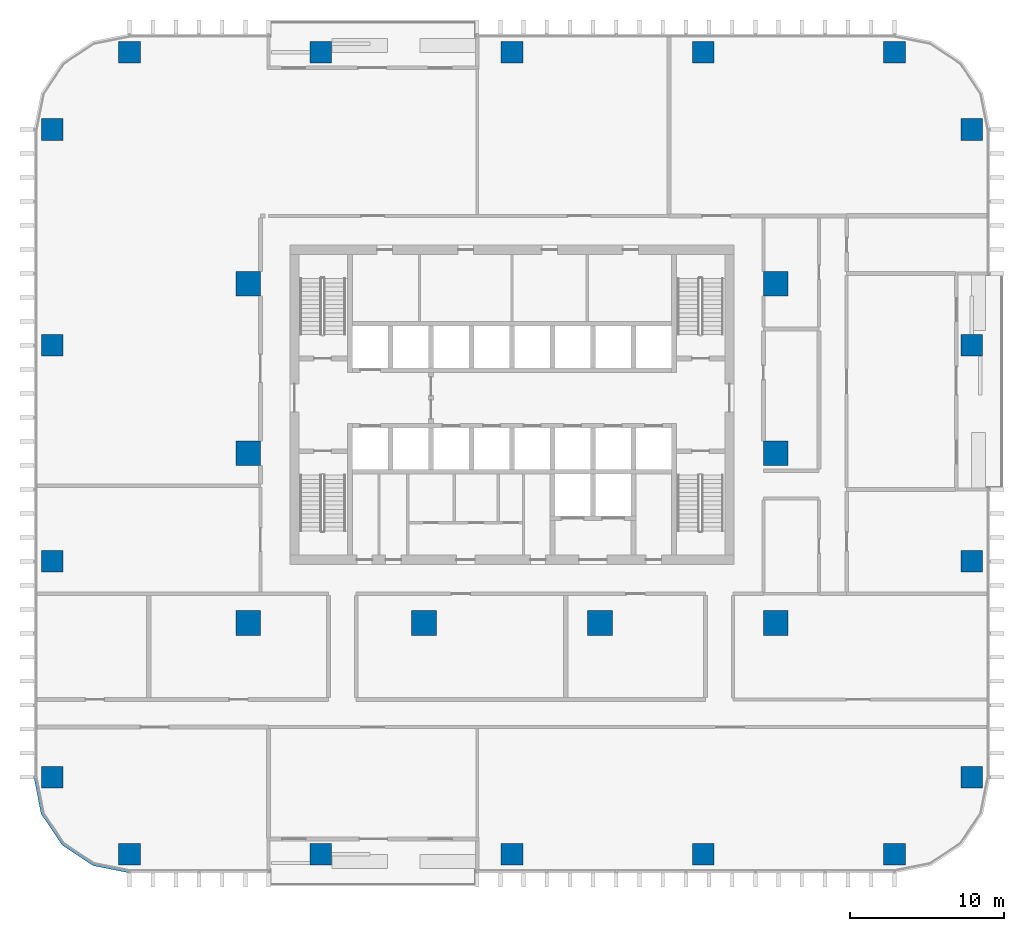
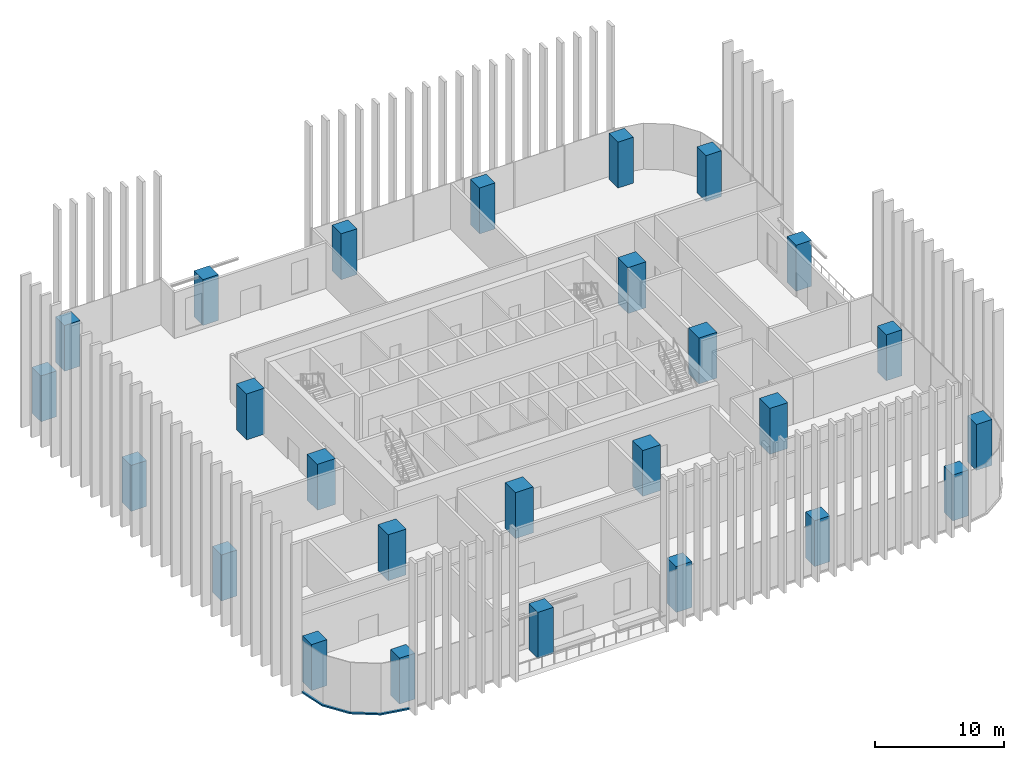
# One storey, part 1 of 16: 26 columns, 1 member, 1 element without a shape of its own.
"""IFC4 building model written with IfcOpenShell, lengths in metres."""

from ifc_helpers import new_model, si_unit, direction, frame, origin, origin_2d, place, context, subcontext, project, spatial, polyline, rectangle, outline, extrude, material, material_profile, profile_set, type_object, element, aggregate, save


model = new_model("IFC4")

# Units and contexts
model_context = context("Model", 3, precision=1e-05, world=origin(), true_north=direction((0.0, 1.0)))
body_context = subcontext(model_context, "Body", "Model", "MODEL_VIEW")
ifc_project = project(units=[si_unit("LENGTHUNIT", "METRE"), si_unit("AREAUNIT", "SQUARE_METRE"), si_unit("VOLUMEUNIT", "CUBIC_METRE"), si_unit("PLANEANGLEUNIT", "RADIAN"), si_unit("MASSUNIT", "GRAM", prefix="KILO")], contexts=[model_context])

# Site, building, storey
site_placement = place(None, origin())
site = spatial("IfcSite", under=ifc_project, at=site_placement, CompositionType="ELEMENT")
building_placement = place(site_placement, origin())
building = spatial("IfcBuilding", under=site, at=building_placement, Name="Mopane Tessera Tower", CompositionType="ELEMENT")
storey_placement = place(building_placement, frame((0.0, 0.0, 59.800048828125)))
storey = spatial("IfcBuildingStorey", under=building, at=storey_placement, Name="L11", CompositionType="ELEMENT", Elevation=59.800048828125)

# Columns
ifc_material_1 = material(Name="Concrete C60/75", Category="concrete")
ifc_material_profile_1 = material_profile(ifc_material_1, rectangle(XDim=1.60009765625, YDim=1.60009765625, at=origin_2d()))
ifc_profile_set_1 = profile_set([ifc_material_profile_1], Name="Concrete C60/75")
column_type_1 = type_object("IfcColumnType", Name="Interior column 1600 x 1600 C60/75", PredefinedType="COLUMN", material=ifc_profile_set_1)
for number, where, z_axis, x_axis, name in (
    (1, (-17.10009765625, -11.0, 0.0), (0.0, 0.0, 1.0), (1.0, 0.0, 0.0), "Interior column I1A L11"),
    (2, (-17.10009765625, 0.0, 0.0), (0.0, 0.0, 1.0), (1.0, 0.0, 0.0), "Interior column I1B L11"),
    (3, (-17.10009765625, 11.0, 0.0), (0.0, 0.0, 1.0), (1.0, 0.0, 0.0), "Interior column I1C L11"),
    (4, (-5.699951171875, -11.0, 0.0), (0.0, 0.0, 1.0), (1.0, 0.0, 0.0), "Interior column I2A L11"),
    (5, (5.699951171875, -11.0, 0.0), (0.0, 0.0, 1.0), (1.0, 0.0, 0.0), "Interior column I3A L11"),
    (6, (17.10009765625, -11.0, 0.0), (0.0, 0.0, 1.0), (1.0, 0.0, 0.0), "Interior column I4A L11"),
    (7, (17.10009765625, 0.0, 0.0), (0.0, 0.0, 1.0), (1.0, 0.0, 0.0), "Interior column I4B L11"),
    (8, (17.10009765625, 11.0, 0.0), (0.0, 0.0, 1.0), (1.0, 0.0, 0.0), "Interior column I4C L11"),
):
    element("IfcColumn", number, at=place(storey_placement, frame(where, z_axis=z_axis, x_axis=x_axis)), inside=storey, type_object=column_type_1, Name=name, PredefinedType="COLUMN", context=body_context, shape_type="SweptSolid", body=[
        extrude(rectangle(XDim=1.60009765625, YDim=1.60009765625, at=origin_2d()), origin(), (0.0, 0.0, 1.0), 4.349853515625),
    ])
ifc_material_2 = material(Name="Concrete C60/75", Category="concrete")
ifc_material_profile_2 = material_profile(ifc_material_2, rectangle(XDim=1.39990234375, YDim=1.39990234375, at=origin_2d()))
ifc_profile_set_2 = profile_set([ifc_material_profile_2], Name="Concrete C60/75")
column_type_2 = type_object("IfcColumnType", Name="Ring column 1400 x 1400 C60/75", PredefinedType="COLUMN", material=ifc_profile_set_2)
for number, where, z_axis, x_axis, name in (
    (9, (-24.800048828125, -26.0, 0.0), (0.0, 0.0, 1.0), (1.0, 0.0, 0.0), "Ring column S0 L11"),
    (10, (-12.39990234375, -26.0, 0.0), (0.0, 0.0, 1.0), (1.0, 0.0, 0.0), "Ring column S1 L11"),
    (11, (0.0, -26.0, 0.0), (0.0, 0.0, 1.0), (1.0, 0.0, 0.0), "Ring column S2 L11"),
    (12, (12.39990234375, -26.0, 0.0), (0.0, 0.0, 1.0), (1.0, 0.0, 0.0), "Ring column S3 L11"),
    (13, (24.800048828125, -26.0, 0.0), (0.0, 0.0, 1.0), (1.0, 0.0, 0.0), "Ring column S4 L11"),
    (14, (29.800048828125, -21.0, 0.0), (0.0, 0.0, 1.0), (1.0, 0.0, 0.0), "Ring column E0 L11"),
    (15, (29.800048828125, -7.0, 0.0), (0.0, 0.0, 1.0), (1.0, 0.0, 0.0), "Ring column E1 L11"),
    (16, (29.800048828125, 7.0, 0.0), (0.0, 0.0, 1.0), (1.0, 0.0, 0.0), "Ring column E2 L11"),
    (17, (29.800048828125, 21.0, 0.0), (0.0, 0.0, 1.0), (1.0, 0.0, 0.0), "Ring column E3 L11"),
    (18, (24.800048828125, 26.0, 0.0), (0.0, 0.0, 1.0), (1.0, 0.0, 0.0), "Ring column N0 L11"),
    (19, (12.39990234375, 26.0, 0.0), (0.0, 0.0, 1.0), (1.0, 0.0, 0.0), "Ring column N1 L11"),
    (20, (0.0, 26.0, 0.0), (0.0, 0.0, 1.0), (1.0, 0.0, 0.0), "Ring column N2 L11"),
    (21, (-12.39990234375, 26.0, 0.0), (0.0, 0.0, 1.0), (1.0, 0.0, 0.0), "Ring column N3 L11"),
    (22, (-24.800048828125, 26.0, 0.0), (0.0, 0.0, 1.0), (1.0, 0.0, 0.0), "Ring column N4 L11"),
    (23, (-29.800048828125, 21.0, 0.0), (0.0, 0.0, 1.0), (1.0, 0.0, 0.0), "Ring column W0 L11"),
    (24, (-29.800048828125, 7.0, 0.0), (0.0, 0.0, 1.0), (1.0, 0.0, 0.0), "Ring column W1 L11"),
    (25, (-29.800048828125, -7.0, 0.0), (0.0, 0.0, 1.0), (1.0, 0.0, 0.0), "Ring column W2 L11"),
    (26, (-29.800048828125, -21.0, 0.0), (0.0, 0.0, 1.0), (1.0, 0.0, 0.0), "Ring column W3 L11"),
):
    element("IfcColumn", number, at=place(storey_placement, frame(where, z_axis=z_axis, x_axis=x_axis)), inside=storey, type_object=column_type_2, Name=name, PredefinedType="COLUMN", context=body_context, shape_type="SweptSolid", body=[
        extrude(rectangle(XDim=1.39990234375, YDim=1.39990234375, at=origin_2d()), origin(), (0.0, 0.0, 1.0), 4.349853515625),
    ])

# Curtain wall, member
ifc_material_3 = material(Name="Aluminium frame", Category="aluminium")
curtain_wall_type = type_object("IfcCurtainWallType", Name="Lower tower unitised wall", PredefinedType="NOTDEFINED", material=ifc_material_3)
curtain_wall_placement = place(storey_placement, origin())
curtain_wall = element("IfcCurtainWall", 27, at=curtain_wall_placement, inside=storey, type_object=curtain_wall_type, Name="e:cw:L11:CW", PredefinedType="NOTDEFINED")
ifc_material_4 = material(Name="Aluminium frame", Category="aluminium")
ifc_material_profile_3 = material_profile(ifc_material_4, rectangle(XDim=0.199951171875, YDim=0.139892578125, at=origin_2d()))
ifc_profile_set_3 = profile_set([ifc_material_profile_3], Name="Aluminium frame")
member_type = type_object("IfcMemberType", Name="Aluminium transom 200 x 140", PredefinedType="USERDEFINED", material=ifc_profile_set_3)
member_placement = place(storey_placement, frame((0.0, 0.0, -0.449951171875)))
member = element("IfcMember", 28, at=member_placement, type_object=member_type, Name="e:cw:L11:CW:tr", ObjectType="TRANSOM", PredefinedType="USERDEFINED", context=body_context, shape_type="SweptSolid", body=[
    extrude(outline(polyline([(-30.800048828125, -21.0), (-30.34326171875, -23.296142578125), (-29.042724609375, -25.24267578125), (-27.09619140625, -26.543212890625), (-24.800048828125, -27.0), (-24.800048828125, -27.199951171875), (-27.172607421875, -26.72802734375), (-29.18408203125, -25.384033203125), (-30.528076171875, -23.37255859375), (-31.0, -21.0), (-30.800048828125, -21.0)])), origin(), (0.0, 0.0, 1.0), 0.139892578125),
])
aggregate(curtain_wall, [member])

save(model, "model.ifc")
